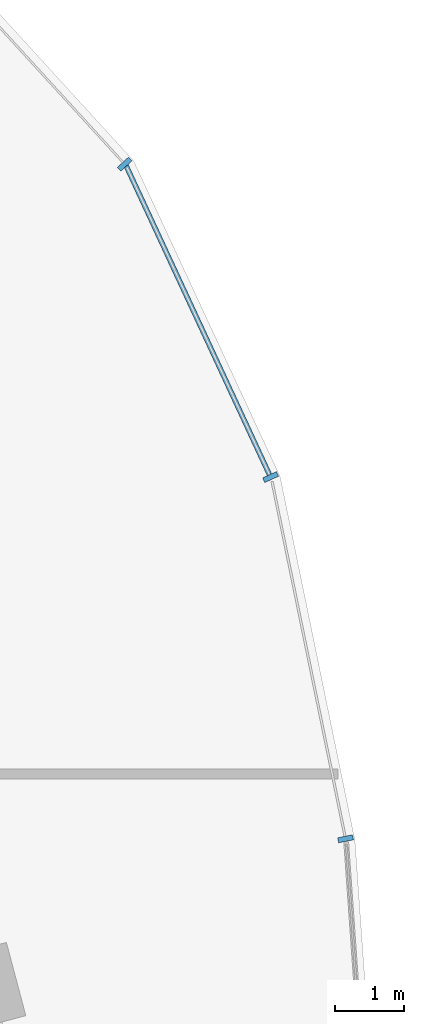
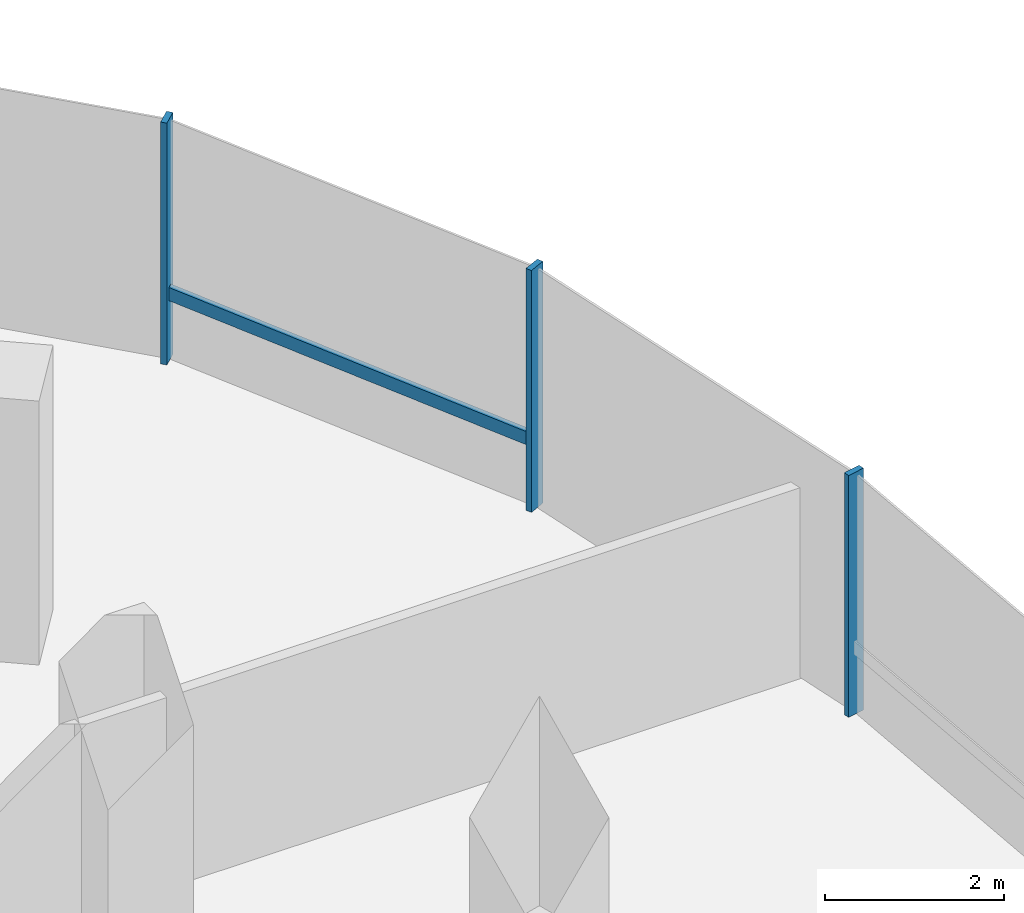
# One storey, part 8 of 21: 4 members, 1 element without a shape of its own.
"""IFC4 building model written with IfcOpenShell, lengths in metres."""

from ifc_helpers import new_model, si_unit, direction, frame, origin, origin_2d, place, context, subcontext, project, spatial, rectangle, extrude, material, material_profile, profile_set, type_object, element, aggregate, save


model = new_model("IFC4")

# Units and contexts
model_context = context("Model", 3, precision=1e-05, world=origin(), true_north=direction((0.0, 1.0)))
body_context = subcontext(model_context, "Body", "Model", "MODEL_VIEW")
ifc_project = project(units=[si_unit("LENGTHUNIT", "METRE"), si_unit("AREAUNIT", "SQUARE_METRE"), si_unit("VOLUMEUNIT", "CUBIC_METRE"), si_unit("PLANEANGLEUNIT", "RADIAN"), si_unit("MASSUNIT", "GRAM", prefix="KILO"), si_unit("THERMODYNAMICTEMPERATUREUNIT", "KELVIN"), si_unit("POWERUNIT", "WATT")], contexts=[model_context])

# Site, building, storey
site_placement = place(None, origin())
site = spatial("IfcSite", under=ifc_project, at=site_placement, CompositionType="ELEMENT")
building_placement = place(site_placement, origin())
building = spatial("IfcBuilding", under=site, at=building_placement, Name="Cundina Bronze Exchange", CompositionType="ELEMENT")
storey_placement = place(building_placement, frame((0.0, 0.0, 92.60009765625)))
storey = spatial("IfcBuildingStorey", under=building, at=storey_placement, Name="L23", CompositionType="ELEMENT", Elevation=92.60009765625)

# Curtain wall, members
ifc_material = material(Name="Anodised Bronze Aluminium 6063-T6", Category="aluminium")
curtain_wall_type = type_object("IfcCurtainWallType", Name="CWS-TRD-MID", PredefinedType="NOTDEFINED", material=ifc_material)
curtain_wall_placement = place(storey_placement, origin())
curtain_wall = element("IfcCurtainWall", 1, at=curtain_wall_placement, inside=storey, type_object=curtain_wall_type, Name="L23 CW-03 Curtain Wall Run CWR-L23-E1", PredefinedType="NOTDEFINED")
ifc_material_profile_1 = material_profile(ifc_material, rectangle(XDim=0.074951171875, YDim=0.219970703125, at=origin_2d()), Name="AL75X220", Category="aluminium")
ifc_profile_set_1 = profile_set([ifc_material_profile_1], Name="Anodised Bronze Aluminium 6063-T6")
member_type_1 = type_object("IfcMemberType", Name="CWM-MUL-220", PredefinedType="MULLION", material=ifc_profile_set_1)
member_1_placement = place(storey_placement, frame((50.717041015625, 8.67822265625, 0.0), z_axis=(0.0, 0.0, 1.0), x_axis=(-0.201419845156, 0.979505000486, 0.0)))
member_1 = element("IfcMember", 2, at=member_1_placement, type_object=member_type_1, Name="CW-03 Mullion 2", PredefinedType="MULLION", context=body_context, shape_type="SweptSolid", body=[
    extrude(rectangle(XDim=0.074951171875, YDim=0.219970703125, at=origin_2d()), origin(), (0.0, 0.0, 1.0), 3.2998046875),
])
member_2_placement = place(storey_placement, frame((49.6279296875, 13.931884765625, 0.0), z_axis=(0.0, 0.0, 1.0), x_axis=(-0.42087749791, 0.907117485088, 0.0)))
member_2 = element("IfcMember", 3, at=member_2_placement, type_object=member_type_1, Name="CW-03 Mullion 3", PredefinedType="MULLION", context=body_context, shape_type="SweptSolid", body=[
    extrude(rectangle(XDim=0.074951171875, YDim=0.219970703125, at=origin_2d()), origin(), (0.0, 0.0, 1.0), 3.2998046875),
])
member_3_placement = place(storey_placement, frame((47.508544921875, 18.47705078125, 0.0), z_axis=(0.0, 0.0, 1.0), x_axis=(-0.674302387584, 0.738455340626, 0.0)))
member_3 = element("IfcMember", 4, at=member_3_placement, type_object=member_type_1, Name="CW-03 Mullion 4", PredefinedType="MULLION", context=body_context, shape_type="SweptSolid", body=[
    extrude(rectangle(XDim=0.074951171875, YDim=0.219970703125, at=origin_2d()), origin(), (0.0, 0.0, 1.0), 3.2998046875),
])
ifc_material_profile_2 = material_profile(ifc_material, rectangle(XDim=0.070068359375, YDim=0.179931640625, at=origin_2d()), Name="AL70X180", Category="aluminium")
ifc_profile_set_2 = profile_set([ifc_material_profile_2], Name="Anodised Bronze Aluminium 6063-T6")
member_type_2 = type_object("IfcMemberType", Name="CWM-TRN-180", PredefinedType="USERDEFINED", material=ifc_profile_set_2)
member_4_placement = place(storey_placement, frame((49.610595703125, 13.96923828125, 0.919921875), z_axis=(-0.420811422796, 0.907148139195, 0.0), x_axis=(-0.907148139195, -0.420811422796, 0.0)))
member_4 = element("IfcMember", 5, at=member_4_placement, type_object=member_type_2, Name="CW-03 Spandrel Transom 3", ObjectType="TRANSOM", PredefinedType="USERDEFINED", context=body_context, shape_type="SweptSolid", body=[
    extrude(rectangle(XDim=0.070068359375, YDim=0.179931640625, at=origin_2d()), origin(), (0.0, 0.0, 1.0), 4.95166015625),
])
aggregate(curtain_wall, [member_1, member_2, member_4, member_3])

save(model, "model.ifc")
